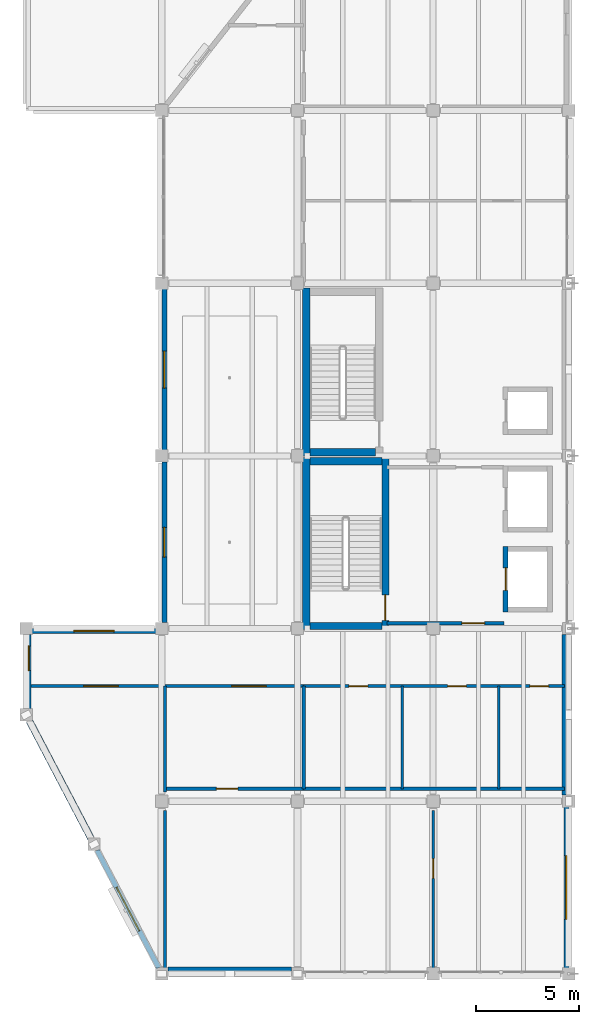
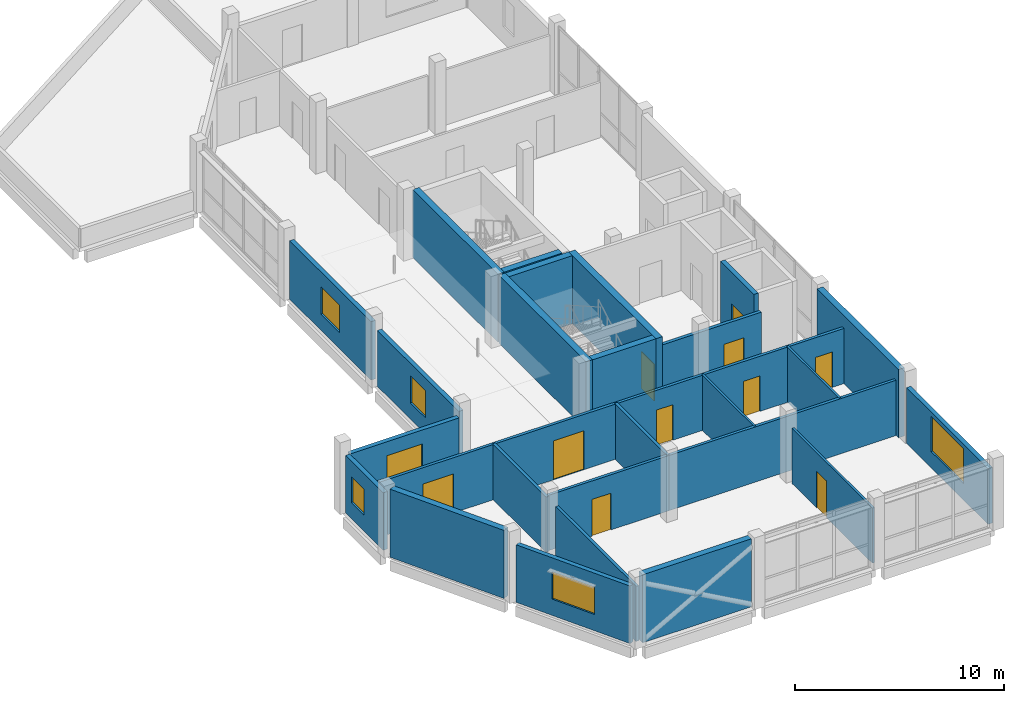
# One storey, part 6 of 12: 27 walls, 10 doors, 6 windows, 16 openings.
"""IFC4 building model written with IfcOpenShell, lengths in metres."""

from ifc_helpers import new_model, si_unit, direction, frame, frame_2d, origin, place, context, subcontext, project, spatial, rectangle, extrude, material, layer, layer_set, type_object, element, fill, save


model = new_model("IFC4")

# Units and contexts
model_context = context("Model", 3, precision=1e-05, world=origin(), true_north=direction((0.0, 1.0)))
body_context = subcontext(model_context, "Body", "Model", "MODEL_VIEW")
ifc_project = project(units=[si_unit("LENGTHUNIT", "METRE"), si_unit("AREAUNIT", "SQUARE_METRE"), si_unit("VOLUMEUNIT", "CUBIC_METRE"), si_unit("PLANEANGLEUNIT", "RADIAN"), si_unit("MASSUNIT", "GRAM", prefix="KILO")], contexts=[model_context])

# Site, building, storey
site_placement = place(None, origin())
site = spatial("IfcSite", under=ifc_project, at=site_placement, CompositionType="ELEMENT")
building_placement = place(site_placement, origin())
building = spatial("IfcBuilding", under=site, at=building_placement, Name="Qaldarim Faculty of Natural and Applied Sciences", CompositionType="ELEMENT")
storey_placement = place(building_placement, frame((0.0, 0.0, 31.199951171875)))
storey = spatial("IfcBuildingStorey", under=building, at=storey_placement, Name="L07", CompositionType="ELEMENT", Elevation=31.199951171875)

# Walls
ifc_material_1 = material(Name="Painted gypsum partition board")
ifc_layer_1 = layer(ifc_material_1, 0.1201171875)
ifc_layer_set_1 = layer_set([ifc_layer_1], Name="Painted gypsum partition board")
wall_type_1 = type_object("IfcWallType", Name="AcousticPartition-120", PredefinedType="PARTITIONING", material=ifc_layer_set_1)
for number, where, z_axis, x_axis, name in (
    (1, (170.10009765625, 9.0, 0.0), (0.0, 0.0, 1.0), (0.0, 1.0, 0.0), "Interior partition PRT-L07-V5-WCD1"),
    (2, (174.800048828125, 9.0, 0.0), (0.0, 0.0, 1.0), (0.0, 1.0, 0.0), "Interior partition PRT-L07-V5-WCD2"),
):
    element("IfcWall", number, at=place(storey_placement, frame(where, z_axis=z_axis, x_axis=x_axis)), inside=storey, type_object=wall_type_1, Name=name, PredefinedType="PARTITIONING", context=body_context, shape_type="SweptSolid", body=[
        extrude(rectangle(XDim=5.0, YDim=0.1201171875, at=frame_2d((2.5, 0.0))), origin(), (0.0, 0.0, 1.0), 3.22998046875),
    ])

# Wall, opening, door
wall_1_placement = place(storey_placement, frame((171.60009765625, 0.25, 0.0), z_axis=(0.0, 0.0, 1.0), x_axis=(0.0, 1.0, 0.0)))
wall_1 = element("IfcWall", 3, at=wall_1_placement, inside=storey, type_object=wall_type_1, Name="Interior partition PRT-L07-U-D1", PredefinedType="PARTITIONING", context=body_context, shape_type="SweptSolid", body=[
    extrude(rectangle(XDim=7.699951171875, YDim=0.1201171875, at=frame_2d((3.85009765625, 0.0))), origin(), (0.0, 0.0, 1.0), 3.22998046875),
])
opening_1_placement = place(wall_1_placement, frame((4.39990234375, 0.0, 0.0)))
opening_1 = element("IfcOpeningElement", 4, at=opening_1_placement, cuts=wall_1, Name="Opening ID01", PredefinedType="OPENING", context=body_context, shape_type="SweptSolid", body=[
    extrude(rectangle(XDim=0.949951171875, YDim=2.14990234375, at=frame_2d((0.47509765625, 1.074951171875))), frame((0.0, 0.070068359375, 0.0), z_axis=(0.0, -1.0, 0.0), x_axis=(1.0, 0.0, 0.0)), (0.0, 0.0, 1.0), 0.14013671875),
])
ifc_material_2 = material(Name="Oak hardwood", Category="wood")
door_type_1 = type_object("IfcDoorType", Name="SingleRoomDoor-950x2150", OperationType="NOTDEFINED", PredefinedType="DOOR", material=ifc_material_2)
door_1_placement = place(opening_1_placement, origin())
door_1 = element("IfcDoor", 5, at=door_1_placement, inside=storey, type_object=door_type_1, Name="Interior door D-L07-274", OperationType="SINGLE_SWING_LEFT", OverallHeight=2.14990234375, OverallWidth=0.949951171875, PredefinedType="DOOR", context=body_context, shape_type="SweptSolid", body=[
    extrude(rectangle(XDim=0.949951171875, YDim=2.14990234375, at=frame_2d((0.47509765625, 1.074951171875))), frame((0.0, 0.02490234375, 0.0), z_axis=(0.0, -1.0, 0.0), x_axis=(1.0, 0.0, 0.0)), (0.0, 0.0, 1.0), 0.050048828125),
])
fill(opening_1, door_1)

# Wall
ifc_material_3 = material(Name="Concrete C50/60", Category="concrete")
ifc_layer_2 = layer(ifc_material_3, 0.360107421875)
ifc_layer_set_2 = layer_set([ifc_layer_2], Name="Concrete C50/60")
wall_type_2 = type_object("IfcWallType", Name="CoreShearWall-360", PredefinedType="SHEAR", material=ifc_layer_set_2)
wall_2_placement = place(storey_placement, frame((165.419921875, 16.739990234375, 0.0), z_axis=(0.0, 0.0, 1.0), x_axis=(0.0, 1.0, 0.0)))
element("IfcWall", 6, at=wall_2_placement, inside=storey, type_object=wall_type_2, Name="Core stair ST-A1 west shear wall L07", PredefinedType="SHEAR", context=body_context, shape_type="SweptSolid", body=[
    extrude(rectangle(XDim=8.3701171875, YDim=0.360107421875, at=frame_2d((4.18505859375, 0.0))), origin(), (0.0, 0.0, 1.0), 3.97998046875),
])

# Wall, opening, door
wall_3_placement = place(storey_placement, frame((169.280029296875, 16.739990234375, 0.0), z_axis=(0.0, 0.0, 1.0), x_axis=(0.0, 1.0, 0.0)))
wall_3 = element("IfcWall", 7, at=wall_3_placement, inside=storey, type_object=wall_type_2, Name="Core stair ST-A1 east shear wall L07", PredefinedType="SHEAR", context=body_context, shape_type="SweptSolid", body=[
    extrude(rectangle(XDim=8.3701171875, YDim=0.360107421875, at=frame_2d((4.18505859375, 0.0))), origin(), (0.0, 0.0, 1.0), 3.97998046875),
])
opening_2_placement = place(wall_3_placement, frame((0.449951171875, 0.0, 0.0)))
opening_2 = element("IfcOpeningElement", 8, at=opening_2_placement, cuts=wall_3, Name="Opening ID04", PredefinedType="OPENING", context=body_context, shape_type="SweptSolid", body=[
    extrude(rectangle(XDim=1.25, YDim=2.14990234375, at=frame_2d((0.625, 1.074951171875))), frame((0.0, 0.18994140625, 0.0), z_axis=(0.0, -1.0, 0.0), x_axis=(1.0, 0.0, 0.0)), (0.0, 0.0, 1.0), 0.380126953125),
])
ifc_material_4 = material(Name="Architectural stainless steel 316", Category="steel")
door_type_2 = type_object("IfcDoorType", Name="StairEnclosureFireDoor-1250x2150", OperationType="NOTDEFINED", PredefinedType="DOOR", material=ifc_material_4)
door_2_placement = place(opening_2_placement, origin())
door_2 = element("IfcDoor", 9, at=door_2_placement, inside=storey, type_object=door_type_2, Name="Protected stair ST-A1 fire door D-L07-509", OperationType="SINGLE_SWING_LEFT", OverallHeight=2.14990234375, OverallWidth=1.25, PredefinedType="DOOR", context=body_context, shape_type="SweptSolid", body=[
    extrude(rectangle(XDim=1.25, YDim=2.14990234375, at=frame_2d((0.625, 1.074951171875))), frame((0.0, 0.02490234375, 0.0), z_axis=(0.0, -1.0, 0.0), x_axis=(1.0, 0.0, 0.0)), (0.0, 0.0, 1.0), 0.050048828125),
])
fill(opening_2, door_2)

# Walls
for number, where, z_axis, x_axis, name in (
    (10, (165.60009765625, 24.929931640625, 0.0), (0.0, 0.0, 1.0), (1.0, 0.0, 0.0), "Core stair ST-A1 north shear wall L07"),
    (11, (165.60009765625, 16.919921875, 0.0), (0.0, 0.0, 1.0), (1.0, 0.0, 0.0), "Core stair ST-A1 south shear wall L07"),
):
    element("IfcWall", number, at=place(storey_placement, frame(where, z_axis=z_axis, x_axis=x_axis)), inside=storey, type_object=wall_type_2, Name=name, PredefinedType="SHEAR", context=body_context, shape_type="SweptSolid", body=[
        extrude(rectangle(XDim=3.5, YDim=0.360107421875, at=frame_2d((1.75, 0.0))), origin(), (0.0, 0.0, 1.0), 3.97998046875),
    ])
wall_4_placement = place(storey_placement, frame((165.419921875, 25.18994140625, 0.0), z_axis=(0.0, 0.0, 1.0), x_axis=(0.0, 1.0, 0.0)))
element("IfcWall", 12, at=wall_4_placement, inside=storey, type_object=wall_type_2, Name="Core stair ST-A2 west shear wall L07", PredefinedType="SHEAR", context=body_context, shape_type="SweptSolid", body=[
    extrude(rectangle(XDim=8.170166015625, YDim=0.360107421875, at=frame_2d((4.0849609375, 0.0))), origin(), (0.0, 0.0, 1.0), 3.97998046875),
])
wall_5_placement = place(storey_placement, frame((165.60009765625, 25.3701171875, 0.0), z_axis=(0.0, 0.0, 1.0), x_axis=(1.0, 0.0, 0.0)))
element("IfcWall", 13, at=wall_5_placement, inside=storey, type_object=wall_type_2, Name="Core stair ST-A2 south shear wall L07", PredefinedType="SHEAR", context=body_context, shape_type="SweptSolid", body=[
    extrude(rectangle(XDim=3.199951171875, YDim=0.360107421875, at=frame_2d((1.60009765625, 0.0))), origin(), (0.0, 0.0, 1.0), 3.97998046875),
])

# Wall, opening, window
ifc_material_5 = material(Name="Precast concrete C40/50", Category="concrete")
ifc_layer_3 = layer(ifc_material_5, 0.239990234375)
ifc_layer_set_3 = layer_set([ifc_layer_3], Name="Precast concrete C40/50")
wall_type_3 = type_object("IfcWallType", Name="ExteriorInsulatedWall-240", PredefinedType="SOLIDWALL", material=ifc_layer_set_3)
wall_6_placement = place(storey_placement, frame((158.10498046875, 16.679931640625, 0.0), z_axis=(0.0, 0.0, 1.0), x_axis=(-1.0, 0.0, 0.0)))
wall_6 = element("IfcWall", 14, at=wall_6_placement, inside=storey, type_object=wall_type_3, Name="Exterior wall EW03 L07 N X24Y02", PredefinedType="SOLIDWALL", context=body_context, shape_type="SweptSolid", body=[
    extrude(rectangle(XDim=6.010009765625, YDim=0.239990234375, at=frame_2d((3.0048828125, 0.0))), origin(), (0.0, 0.0, 1.0), 3.31494140625),
])
opening_3_placement = place(wall_6_placement, frame((2.030029296875, 0.0, 0.949951171875)))
opening_3 = element("IfcOpeningElement", 15, at=opening_3_placement, cuts=wall_6, Name="Opening WN11", PredefinedType="OPENING", context=body_context, shape_type="SweptSolid", body=[
    extrude(rectangle(XDim=1.949951171875, YDim=1.550048828125, at=frame_2d((0.97509765625, 0.77490234375))), frame((0.0, 0.1298828125, 0.0), z_axis=(0.0, -1.0, 0.0), x_axis=(1.0, 0.0, 0.0)), (0.0, 0.0, 1.0), 0.260009765625),
])
ifc_material_6 = material(Name="Insulated low-e double glazing", Category="glass")
window_type_1 = type_object("IfcWindowType", Name="LabWindow-1950x1550", PartitioningType="DOUBLE_PANEL_VERTICAL", PredefinedType="WINDOW", material=ifc_material_6)
window_1_placement = place(opening_3_placement, origin())
window_1 = element("IfcWindow", 16, at=window_1_placement, inside=storey, type_object=window_type_1, Name="Facade window WN11 L07 N X24Y02", OverallHeight=1.550048828125, OverallWidth=1.949951171875, PartitioningType="SINGLE_PANEL", PredefinedType="WINDOW", context=body_context, shape_type="SweptSolid", body=[
    extrude(rectangle(XDim=1.949951171875, YDim=1.550048828125, at=frame_2d((0.97509765625, 0.77490234375))), frame((0.0, 0.030029296875, 0.0), z_axis=(0.0, -1.0, 0.0), x_axis=(1.0, 0.0, 0.0)), (0.0, 0.0, 1.0), 0.06005859375),
])
fill(opening_3, window_1)

wall_7_placement = place(storey_placement, frame((158.52001953125, 24.905029296875, 0.0), z_axis=(0.0, 0.0, 1.0), x_axis=(0.0, -1.0, 0.0)))
wall_7 = element("IfcWall", 17, at=wall_7_placement, inside=storey, type_object=wall_type_3, Name="Exterior wall EW03 L07 W X25Y03", PredefinedType="SOLIDWALL", context=body_context, shape_type="SweptSolid", body=[
    extrude(rectangle(XDim=7.81005859375, YDim=0.239990234375, at=frame_2d((3.905029296875, 0.0))), origin(), (0.0, 0.0, 1.0), 3.26513671875),
])
opening_4_placement = place(wall_7_placement, frame((3.179931640625, 0.0, 0.949951171875)))
opening_4 = element("IfcOpeningElement", 18, at=opening_4_placement, cuts=wall_7, Name="Opening WN32", PredefinedType="OPENING", context=body_context, shape_type="SweptSolid", body=[
    extrude(rectangle(XDim=1.449951171875, YDim=1.60009765625, at=frame_2d((0.72509765625, 0.800048828125))), frame((0.0, 0.1298828125, 0.0), z_axis=(0.0, -1.0, 0.0), x_axis=(1.0, 0.0, 0.0)), (0.0, 0.0, 1.0), 0.260009765625),
])
window_type_2 = type_object("IfcWindowType", Name="SeminarWindow-1450x1600", PartitioningType="DOUBLE_PANEL_VERTICAL", PredefinedType="WINDOW", material=ifc_material_6)
window_2_placement = place(opening_4_placement, origin())
window_2 = element("IfcWindow", 19, at=window_2_placement, inside=storey, type_object=window_type_2, Name="Facade window WN32 L07 W X25Y03", OverallHeight=1.60009765625, OverallWidth=1.449951171875, PartitioningType="SINGLE_PANEL", PredefinedType="WINDOW", context=body_context, shape_type="SweptSolid", body=[
    extrude(rectangle(XDim=1.449951171875, YDim=1.60009765625, at=frame_2d((0.72509765625, 0.800048828125))), frame((0.0, 0.030029296875, 0.0), z_axis=(0.0, -1.0, 0.0), x_axis=(1.0, 0.0, 0.0)), (0.0, 0.0, 1.0), 0.06005859375),
])
fill(opening_4, window_2)

wall_8_placement = place(storey_placement, frame((158.52001953125, 33.304931640625, 0.0), z_axis=(0.0, 0.0, 1.0), x_axis=(0.0, -1.0, 0.0)))
wall_8 = element("IfcWall", 20, at=wall_8_placement, inside=storey, type_object=wall_type_3, Name="Exterior wall EW03 L07 W X25Y04", PredefinedType="SOLIDWALL", context=body_context, shape_type="SweptSolid", body=[
    extrude(rectangle(XDim=7.809814453125, YDim=0.239990234375, at=frame_2d((3.90478515625, 0.0))), origin(), (0.0, 0.0, 1.0), 3.4150390625),
])
opening_5_placement = place(wall_8_placement, frame((3.0048828125, 0.0, 0.949951171875)))
opening_5 = element("IfcOpeningElement", 21, at=opening_5_placement, cuts=wall_8, Name="Opening WN02", PredefinedType="OPENING", context=body_context, shape_type="SweptSolid", body=[
    extrude(rectangle(XDim=1.800048828125, YDim=1.60009765625, at=frame_2d((0.89990234375, 0.800048828125))), frame((0.0, 0.1298828125, 0.0), z_axis=(0.0, -1.0, 0.0), x_axis=(1.0, 0.0, 0.0)), (0.0, 0.0, 1.0), 0.260009765625),
])
window_type_3 = type_object("IfcWindowType", Name="Window-1800x1600", PartitioningType="DOUBLE_PANEL_VERTICAL", PredefinedType="WINDOW", material=ifc_material_6)
window_3_placement = place(opening_5_placement, origin())
window_3 = element("IfcWindow", 22, at=window_3_placement, inside=storey, type_object=window_type_3, Name="Facade window WN02 L07 W X25Y04", OverallHeight=1.60009765625, OverallWidth=1.800048828125, PartitioningType="SINGLE_PANEL", PredefinedType="WINDOW", context=body_context, shape_type="SweptSolid", body=[
    extrude(rectangle(XDim=1.800048828125, YDim=1.60009765625, at=frame_2d((0.89990234375, 0.800048828125))), frame((0.0, 0.030029296875, 0.0), z_axis=(0.0, -1.0, 0.0), x_axis=(1.0, 0.0, 0.0)), (0.0, 0.0, 1.0), 0.06005859375),
])
fill(opening_5, window_3)

wall_9_placement = place(storey_placement, frame((178.080078125, 0.294921875, 0.0), z_axis=(0.0, 0.0, 1.0), x_axis=(0.0, 1.0, 0.0)))
wall_9 = element("IfcWall", 23, at=wall_9_placement, inside=storey, type_object=wall_type_3, Name="Exterior wall EW03 L07 E X27Y01", PredefinedType="SOLIDWALL", context=body_context, shape_type="SweptSolid", body=[
    extrude(rectangle(XDim=7.81005859375, YDim=0.239990234375, at=frame_2d((3.905029296875, 0.0))), origin(), (0.0, 0.0, 1.0), 3.26513671875),
])
opening_6_placement = place(wall_9_placement, frame((2.35498046875, 0.0, 0.949951171875)))
opening_6 = element("IfcOpeningElement", 24, at=opening_6_placement, cuts=wall_9, Name="Opening WN30", PredefinedType="OPENING", context=body_context, shape_type="SweptSolid", body=[
    extrude(rectangle(XDim=3.10009765625, YDim=2.050048828125, at=frame_2d((1.550048828125, 1.02490234375))), frame((0.0, 0.1298828125, 0.0), z_axis=(0.0, -1.0, 0.0), x_axis=(1.0, 0.0, 0.0)), (0.0, 0.0, 1.0), 0.260009765625),
])
window_type_4 = type_object("IfcWindowType", Name="GalleryWindow-3100x2050", PartitioningType="TRIPLE_PANEL_VERTICAL", PredefinedType="WINDOW", material=ifc_material_6)
window_4_placement = place(opening_6_placement, origin())
window_4 = element("IfcWindow", 25, at=window_4_placement, inside=storey, type_object=window_type_4, Name="Facade window WN30 L07 E X27Y01", OverallHeight=2.050048828125, OverallWidth=3.10009765625, PartitioningType="SINGLE_PANEL", PredefinedType="WINDOW", context=body_context, shape_type="SweptSolid", body=[
    extrude(rectangle(XDim=3.10009765625, YDim=2.050048828125, at=frame_2d((1.550048828125, 1.02490234375))), frame((0.0, 0.030029296875, 0.0), z_axis=(0.0, -1.0, 0.0), x_axis=(1.0, 0.0, 0.0)), (0.0, 0.0, 1.0), 0.06005859375),
])
fill(opening_6, window_4)

wall_10_placement = place(storey_placement, frame((151.919921875, 16.5048828125, 0.0), z_axis=(0.0, 0.0, 1.0), x_axis=(0.0, -1.0, 0.0)))
wall_10 = element("IfcWall", 26, at=wall_10_placement, inside=storey, type_object=wall_type_3, Name="Oblique SW chamfer return facade wall L07", PredefinedType="SOLIDWALL", context=body_context, shape_type="SweptSolid", body=[
    extrude(rectangle(XDim=3.60986328125, YDim=0.239990234375, at=frame_2d((1.804931640625, 0.0))), origin(), (0.0, 0.0, 1.0), 3.364990234375),
])
opening_7_placement = place(wall_10_placement, frame((0.550048828125, 0.0, 0.949951171875)))
opening_7 = element("IfcOpeningElement", 27, at=opening_7_placement, cuts=wall_10, Name="Opening WN01", PredefinedType="OPENING", context=body_context, shape_type="SweptSolid", body=[
    extrude(rectangle(XDim=1.199951171875, YDim=1.5, at=frame_2d((0.60009765625, 0.75))), frame((0.0, 0.1298828125, 0.0), z_axis=(0.0, -1.0, 0.0), x_axis=(1.0, 0.0, 0.0)), (0.0, 0.0, 1.0), 0.260009765625),
])
window_type_5 = type_object("IfcWindowType", Name="Window-1200x1500", PartitioningType="SINGLE_PANEL", PredefinedType="WINDOW", material=ifc_material_6)
window_5_placement = place(opening_7_placement, origin())
window_5 = element("IfcWindow", 28, at=window_5_placement, inside=storey, type_object=window_type_5, Name="Oblique SW return window L07", OverallHeight=1.5, OverallWidth=1.199951171875, PartitioningType="SINGLE_PANEL", PredefinedType="WINDOW", context=body_context, shape_type="SweptSolid", body=[
    extrude(rectangle(XDim=1.199951171875, YDim=1.5, at=frame_2d((0.60009765625, 0.75))), frame((0.0, 0.030029296875, 0.0), z_axis=(0.0, -1.0, 0.0), x_axis=(1.0, 0.0, 0.0)), (0.0, 0.0, 1.0), 0.06005859375),
])
fill(opening_7, window_5)

wall_11_placement = place(storey_placement, frame((155.25, 6.010009765625, 0.0), z_axis=(0.0, 0.0, 1.0), x_axis=(0.464471613901, -0.885588007981, 0.0)))
wall_11 = element("IfcWall", 29, at=wall_11_placement, inside=storey, type_object=wall_type_3, Name="Oblique SW chamfer fenestrated wall L07 2", PredefinedType="SOLIDWALL", context=body_context, shape_type="SweptSolid", body=[
    extrude(rectangle(XDim=6.458984375, YDim=0.239990234375, at=frame_2d((3.2294921875, 0.0))), origin(), (0.0, 0.0, 1.0), 3.364990234375),
])
opening_8_placement = place(wall_11_placement, frame((2.030029296875, 0.0, 0.949951171875)))
opening_8 = element("IfcOpeningElement", 30, at=opening_8_placement, cuts=wall_11, Name="Opening WN03", PredefinedType="OPENING", context=body_context, shape_type="SweptSolid", body=[
    extrude(rectangle(XDim=2.39990234375, YDim=1.60009765625, at=frame_2d((1.199951171875, 0.800048828125))), frame((0.0, 0.1298828125, 0.0), z_axis=(0.0, -1.0, 0.0), x_axis=(1.0, 0.0, 0.0)), (0.0, 0.0, 1.0), 0.260009765625),
])
window_type_6 = type_object("IfcWindowType", Name="Window-2400x1600", PartitioningType="TRIPLE_PANEL_VERTICAL", PredefinedType="WINDOW", material=ifc_material_6)
window_6_placement = place(opening_8_placement, origin())
window_6 = element("IfcWindow", 31, at=window_6_placement, inside=storey, type_object=window_type_6, Name="Oblique SW chamfer window L07 2", OverallHeight=1.60009765625, OverallWidth=2.39990234375, PartitioningType="SINGLE_PANEL", PredefinedType="WINDOW", context=body_context, shape_type="SweptSolid", body=[
    extrude(rectangle(XDim=2.39990234375, YDim=1.60009765625, at=frame_2d((1.199951171875, 0.800048828125))), frame((0.0, 0.030029296875, 0.0), z_axis=(0.0, -1.0, 0.0), x_axis=(1.0, 0.0, 0.0)), (0.0, 0.0, 1.0), 0.06005859375),
])
fill(opening_8, window_6)

# Walls
ifc_layer_4 = layer(ifc_material_3, 0.340087890625)
ifc_layer_set_4 = layer_set([ifc_layer_4], Name="Concrete C50/60")
wall_type_4 = type_object("IfcWallType", Name="ExteriorStairShearWall-340", PredefinedType="SHEAR", material=ifc_layer_set_4)
wall_12_placement = place(storey_placement, frame((158.695068359375, 0.169921875, 0.0), z_axis=(0.0, 0.0, 1.0), x_axis=(1.0, 0.0, 0.0)))
element("IfcWall", 32, at=wall_12_placement, inside=storey, type_object=wall_type_4, Name="Exterior wall EW05 L07 S X25Y01", PredefinedType="SHEAR", context=body_context, shape_type="SweptSolid", body=[
    extrude(rectangle(XDim=6.010009765625, YDim=0.340087890625, at=frame_2d((3.0048828125, 0.0))), origin(), (0.0, 0.0, 1.0), 3.97998046875),
])
wall_13_placement = place(storey_placement, frame((178.030029296875, 8.695068359375, 0.0), z_axis=(0.0, 0.0, 1.0), x_axis=(0.0, 1.0, 0.0)))
element("IfcWall", 33, at=wall_13_placement, inside=storey, type_object=wall_type_4, Name="Exterior wall EW05 L07 E X27Y02", PredefinedType="SHEAR", context=body_context, shape_type="SweptSolid", body=[
    extrude(rectangle(XDim=7.809814453125, YDim=0.340087890625, at=frame_2d((3.90478515625, 0.0))), origin(), (0.0, 0.0, 1.0), 3.97998046875),
])
wall_14_placement = place(storey_placement, frame((151.949951171875, 12.31005859375, 0.0), z_axis=(0.0, 0.0, 1.0), x_axis=(0.464471613901, -0.885588007981, 0.0)))
element("IfcWall", 34, at=wall_14_placement, inside=storey, type_object=wall_type_4, Name="Oblique SW chamfer braced wall L07 1", PredefinedType="SHEAR", context=body_context, shape_type="SweptSolid", body=[
    extrude(rectangle(XDim=6.458984375, YDim=0.340087890625, at=frame_2d((3.2294921875, 0.0))), origin(), (0.0, 0.0, 1.0), 3.97998046875),
])

# Wall, openings, doors
ifc_material_7 = material(Name="Concrete C40/50", Category="concrete")
ifc_layer_5 = layer(ifc_material_7, 0.159912109375)
ifc_layer_set_5 = layer_set([ifc_layer_5], Name="Concrete C40/50")
wall_type_5 = type_object("IfcWallType", Name="FireCorridorWall-160", PredefinedType="PARTITIONING", material=ifc_layer_set_5)
wall_15_placement = place(storey_placement, frame((165.300048828125, 14.0, 0.0), z_axis=(0.0, 0.0, 1.0), x_axis=(1.0, 0.0, 0.0)))
wall_15 = element("IfcWall", 35, at=wall_15_placement, inside=storey, type_object=wall_type_5, Name="Interior partition PRT-L07-V5-WCN", PredefinedType="PARTITIONING", context=body_context, shape_type="SweptSolid", body=[
    extrude(rectangle(XDim=12.699951171875, YDim=0.159912109375, at=frame_2d((6.35009765625, 0.0))), origin(), (0.0, 0.0, 1.0), 3.22998046875),
])
opening_9_placement = place(wall_15_placement, frame((2.199951171875, 0.0, 0.0)))
opening_9 = element("IfcOpeningElement", 36, at=opening_9_placement, cuts=wall_15, Name="Opening ID14", PredefinedType="OPENING", context=body_context, shape_type="SweptSolid", body=[
    extrude(rectangle(XDim=0.919921875, YDim=2.080078125, at=frame_2d((0.4599609375, 1.0400390625))), frame((0.0, 0.08984375, 0.0), z_axis=(0.0, -1.0, 0.0), x_axis=(1.0, 0.0, 0.0)), (0.0, 0.0, 1.0), 0.179931640625),
])
opening_10_placement = place(wall_15_placement, frame((7.0, 0.0, 0.0)))
opening_10 = element("IfcOpeningElement", 37, at=opening_10_placement, cuts=wall_15, Name="Opening ID14", PredefinedType="OPENING", context=body_context, shape_type="SweptSolid", body=[
    extrude(rectangle(XDim=0.919921875, YDim=2.080078125, at=frame_2d((0.4599609375, 1.0400390625))), frame((0.0, 0.08984375, 0.0), z_axis=(0.0, -1.0, 0.0), x_axis=(1.0, 0.0, 0.0)), (0.0, 0.0, 1.0), 0.179931640625),
])
opening_11_placement = place(wall_15_placement, frame((11.0, 0.0, 0.0)))
opening_11 = element("IfcOpeningElement", 38, at=opening_11_placement, cuts=wall_15, Name="Opening ID14", PredefinedType="OPENING", context=body_context, shape_type="SweptSolid", body=[
    extrude(rectangle(XDim=0.919921875, YDim=2.080078125, at=frame_2d((0.4599609375, 1.0400390625))), frame((0.0, 0.08984375, 0.0), z_axis=(0.0, -1.0, 0.0), x_axis=(1.0, 0.0, 0.0)), (0.0, 0.0, 1.0), 0.179931640625),
])
door_type_3 = type_object("IfcDoorType", Name="WashroomDoor-920x2080", OperationType="NOTDEFINED", PredefinedType="DOOR", material=ifc_material_2)
door_3_placement = place(opening_9_placement, origin())
door_3 = element("IfcDoor", 39, at=door_3_placement, inside=storey, type_object=door_type_3, Name="Interior door D-L07-125", OperationType="SINGLE_SWING_LEFT", OverallHeight=2.080078125, OverallWidth=0.919921875, PredefinedType="DOOR", context=body_context, shape_type="SweptSolid", body=[
    extrude(rectangle(XDim=0.919921875, YDim=2.080078125, at=frame_2d((0.4599609375, 1.0400390625))), frame((0.0, 0.02490234375, 0.0), z_axis=(0.0, -1.0, 0.0), x_axis=(1.0, 0.0, 0.0)), (0.0, 0.0, 1.0), 0.050048828125),
])
fill(opening_9, door_3)
door_4_placement = place(opening_10_placement, origin())
door_4 = element("IfcDoor", 40, at=door_4_placement, inside=storey, type_object=door_type_3, Name="Interior door D-L07-126", OperationType="SINGLE_SWING_RIGHT", OverallHeight=2.080078125, OverallWidth=0.919921875, PredefinedType="DOOR", context=body_context, shape_type="SweptSolid", body=[
    extrude(rectangle(XDim=0.919921875, YDim=2.080078125, at=frame_2d((0.4599609375, 1.0400390625))), frame((0.0, 0.02490234375, 0.0), z_axis=(0.0, -1.0, 0.0), x_axis=(1.0, 0.0, 0.0)), (0.0, 0.0, 1.0), 0.050048828125),
])
fill(opening_10, door_4)
door_5_placement = place(opening_11_placement, origin())
door_5 = element("IfcDoor", 41, at=door_5_placement, inside=storey, type_object=door_type_3, Name="Interior door D-L07-127", OperationType="SINGLE_SWING_LEFT", OverallHeight=2.080078125, OverallWidth=0.919921875, PredefinedType="DOOR", context=body_context, shape_type="SweptSolid", body=[
    extrude(rectangle(XDim=0.919921875, YDim=2.080078125, at=frame_2d((0.4599609375, 1.0400390625))), frame((0.0, 0.02490234375, 0.0), z_axis=(0.0, -1.0, 0.0), x_axis=(1.0, 0.0, 0.0)), (0.0, 0.0, 1.0), 0.050048828125),
])
fill(opening_11, door_5)

# Walls
wall_16_placement = place(storey_placement, frame((165.300048828125, 9.0, 0.0), z_axis=(0.0, 0.0, 1.0), x_axis=(1.0, 0.0, 0.0)))
element("IfcWall", 42, at=wall_16_placement, inside=storey, type_object=wall_type_5, Name="Interior partition PRT-L07-V5-WCS", PredefinedType="PARTITIONING", context=body_context, shape_type="SweptSolid", body=[
    extrude(rectangle(XDim=12.699951171875, YDim=0.159912109375, at=frame_2d((6.35009765625, 0.0))), origin(), (0.0, 0.0, 1.0), 3.22998046875),
])
wall_17_placement = place(storey_placement, frame((165.300048828125, 9.0, 0.0), z_axis=(0.0, 0.0, 1.0), x_axis=(0.0, 1.0, 0.0)))
element("IfcWall", 43, at=wall_17_placement, inside=storey, type_object=wall_type_5, Name="Interior partition PRT-L07-V5-WCW", PredefinedType="PARTITIONING", context=body_context, shape_type="SweptSolid", body=[
    extrude(rectangle(XDim=5.0, YDim=0.159912109375, at=frame_2d((2.5, 0.0))), origin(), (0.0, 0.0, 1.0), 3.22998046875),
])

# Wall, opening, door
wall_18_placement = place(storey_placement, frame((158.550048828125, 9.0, 0.0), z_axis=(0.0, 0.0, 1.0), x_axis=(1.0, 0.0, 0.0)))
wall_18 = element("IfcWall", 44, at=wall_18_placement, inside=storey, type_object=wall_type_5, Name="Interior partition PRT-L07-U-SW", PredefinedType="PARTITIONING", context=body_context, shape_type="SweptSolid", body=[
    extrude(rectangle(XDim=6.75, YDim=0.159912109375, at=frame_2d((3.375, 0.0))), origin(), (0.0, 0.0, 1.0), 3.22998046875),
])
opening_12_placement = place(wall_18_placement, frame((2.5, 0.0, 0.0)))
opening_12 = element("IfcOpeningElement", 45, at=opening_12_placement, cuts=wall_18, Name="Opening ID02", PredefinedType="OPENING", context=body_context, shape_type="SweptSolid", body=[
    extrude(rectangle(XDim=1.050048828125, YDim=2.14990234375, at=frame_2d((0.52490234375, 1.074951171875))), frame((0.0, 0.08984375, 0.0), z_axis=(0.0, -1.0, 0.0), x_axis=(1.0, 0.0, 0.0)), (0.0, 0.0, 1.0), 0.179931640625),
])
door_type_4 = type_object("IfcDoorType", Name="AccessibleRoomDoor-1050x2150", OperationType="NOTDEFINED", PredefinedType="DOOR", material=ifc_material_2)
door_6_placement = place(opening_12_placement, origin())
door_6 = element("IfcDoor", 46, at=door_6_placement, inside=storey, type_object=door_type_4, Name="Interior door D-L07-270", OperationType="SINGLE_SWING_LEFT", OverallHeight=2.14990234375, OverallWidth=1.050048828125, PredefinedType="DOOR", context=body_context, shape_type="SweptSolid", body=[
    extrude(rectangle(XDim=1.050048828125, YDim=2.14990234375, at=frame_2d((0.52490234375, 1.074951171875))), frame((0.0, 0.02490234375, 0.0), z_axis=(0.0, -1.0, 0.0), x_axis=(1.0, 0.0, 0.0)), (0.0, 0.0, 1.0), 0.050048828125),
])
fill(opening_12, door_6)

# Walls
wall_19_placement = place(storey_placement, frame((158.550048828125, 0.25, 0.0), z_axis=(0.0, 0.0, 1.0), x_axis=(0.0, 1.0, 0.0)))
element("IfcWall", 47, at=wall_19_placement, inside=storey, type_object=wall_type_5, Name="Interior partition PRT-L07-V5-SWSE-S1", PredefinedType="PARTITIONING", context=body_context, shape_type="SweptSolid", body=[
    extrude(rectangle(XDim=7.699951171875, YDim=0.159912109375, at=frame_2d((3.85009765625, 0.0))), origin(), (0.0, 0.0, 1.0), 3.22998046875),
])
wall_20_placement = place(storey_placement, frame((158.550048828125, 8.85009765625, 0.0), z_axis=(0.0, 0.0, 1.0), x_axis=(0.0, 1.0, 0.0)))
element("IfcWall", 48, at=wall_20_placement, inside=storey, type_object=wall_type_5, Name="Interior partition PRT-L07-V5-SWSE-S2", PredefinedType="PARTITIONING", context=body_context, shape_type="SweptSolid", body=[
    extrude(rectangle(XDim=5.14990234375, YDim=0.159912109375, at=frame_2d((2.574951171875, 0.0))), origin(), (0.0, 0.0, 1.0), 3.22998046875),
])

# Wall, openings, doors
wall_21_placement = place(storey_placement, frame((152.0, 14.0, 0.0), z_axis=(0.0, 0.0, 1.0), x_axis=(1.0, 0.0, 0.0)))
wall_21 = element("IfcWall", 49, at=wall_21_placement, inside=storey, type_object=wall_type_5, Name="Interior partition PRT-L07-V5-MIDN", PredefinedType="PARTITIONING", context=body_context, shape_type="SweptSolid", body=[
    extrude(rectangle(XDim=13.300048828125, YDim=0.159912109375, at=frame_2d((6.64990234375, 0.0))), origin(), (0.0, 0.0, 1.0), 3.22998046875),
])
opening_13_placement = place(wall_21_placement, frame((2.60009765625, 0.0, 0.0)))
opening_13 = element("IfcOpeningElement", 50, at=opening_13_placement, cuts=wall_21, Name="Opening ID18", PredefinedType="OPENING", context=body_context, shape_type="SweptSolid", body=[
    extrude(rectangle(XDim=1.679931640625, YDim=2.280029296875, at=frame_2d((0.83984375, 1.14013671875))), frame((0.0, 0.08984375, 0.0), z_axis=(0.0, -1.0, 0.0), x_axis=(1.0, 0.0, 0.0)), (0.0, 0.0, 1.0), 0.179931640625),
])
opening_14_placement = place(wall_21_placement, frame((9.800048828125, 0.0, 0.0)))
opening_14 = element("IfcOpeningElement", 51, at=opening_14_placement, cuts=wall_21, Name="Opening ID18", PredefinedType="OPENING", context=body_context, shape_type="SweptSolid", body=[
    extrude(rectangle(XDim=1.679931640625, YDim=2.280029296875, at=frame_2d((0.83984375, 1.14013671875))), frame((0.0, 0.08984375, 0.0), z_axis=(0.0, -1.0, 0.0), x_axis=(1.0, 0.0, 0.0)), (0.0, 0.0, 1.0), 0.179931640625),
])
door_type_5 = type_object("IfcDoorType", Name="GalleryDoubleDoor-1680x2280", OperationType="NOTDEFINED", PredefinedType="DOOR", material=ifc_material_2)
door_7_placement = place(opening_13_placement, origin())
door_7 = element("IfcDoor", 52, at=door_7_placement, inside=storey, type_object=door_type_5, Name="Interior door D-L07-419", OperationType="SINGLE_SWING_LEFT", OverallHeight=2.280029296875, OverallWidth=1.679931640625, PredefinedType="DOOR", context=body_context, shape_type="SweptSolid", body=[
    extrude(rectangle(XDim=1.679931640625, YDim=2.280029296875, at=frame_2d((0.83984375, 1.14013671875))), frame((0.0, 0.02490234375, 0.0), z_axis=(0.0, -1.0, 0.0), x_axis=(1.0, 0.0, 0.0)), (0.0, 0.0, 1.0), 0.050048828125),
])
fill(opening_13, door_7)
door_8_placement = place(opening_14_placement, origin())
door_8 = element("IfcDoor", 53, at=door_8_placement, inside=storey, type_object=door_type_5, Name="Interior door D-L07-420", OperationType="SINGLE_SWING_RIGHT", OverallHeight=2.280029296875, OverallWidth=1.679931640625, PredefinedType="DOOR", context=body_context, shape_type="SweptSolid", body=[
    extrude(rectangle(XDim=1.679931640625, YDim=2.280029296875, at=frame_2d((0.83984375, 1.14013671875))), frame((0.0, 0.02490234375, 0.0), z_axis=(0.0, -1.0, 0.0), x_axis=(1.0, 0.0, 0.0)), (0.0, 0.0, 1.0), 0.050048828125),
])
fill(opening_14, door_8)

# Wall, opening, door
ifc_layer_6 = layer(ifc_material_7, 0.179931640625)
ifc_layer_set_6 = layer_set([ifc_layer_6], Name="Concrete C40/50")
wall_type_6 = type_object("IfcWallType", Name="LabFireCompartmentWall-180", PredefinedType="SOLIDWALL", material=ifc_layer_set_6)
wall_22_placement = place(storey_placement, frame((169.35009765625, 17.06005859375, 0.0), z_axis=(0.0, 0.0, 1.0), x_axis=(1.0, 0.0, 0.0)))
wall_22 = element("IfcWall", 54, at=wall_22_placement, inside=storey, type_object=wall_type_6, Name="Fire-fighting lobby south wall Core A L07", PredefinedType="SOLIDWALL", context=body_context, shape_type="SweptSolid", body=[
    extrude(rectangle(XDim=5.699951171875, YDim=0.179931640625, at=frame_2d((2.85009765625, 0.0))), origin(), (0.0, 0.0, 1.0), 3.31494140625),
])
opening_15_placement = place(wall_22_placement, frame((3.64990234375, 0.0, 0.0)))
opening_15 = element("IfcOpeningElement", 55, at=opening_15_placement, cuts=wall_22, Name="Opening ID03", PredefinedType="OPENING", context=body_context, shape_type="SweptSolid", body=[
    extrude(rectangle(XDim=1.10009765625, YDim=2.14990234375, at=frame_2d((0.550048828125, 1.074951171875))), frame((0.0, 0.099853515625, 0.0), z_axis=(0.0, -1.0, 0.0), x_axis=(1.0, 0.0, 0.0)), (0.0, 0.0, 1.0), 0.199951171875),
])
door_type_6 = type_object("IfcDoorType", Name="FireLobbyDoor-1100x2150", OperationType="NOTDEFINED", PredefinedType="DOOR", material=ifc_material_2)
door_9_placement = place(opening_15_placement, origin())
door_9 = element("IfcDoor", 56, at=door_9_placement, inside=storey, type_object=door_type_6, Name="Fire-fighting lobby corridor door Core A D-L07-613", OperationType="SINGLE_SWING_LEFT", OverallHeight=2.14990234375, OverallWidth=1.10009765625, PredefinedType="DOOR", context=body_context, shape_type="SweptSolid", body=[
    extrude(rectangle(XDim=1.10009765625, YDim=2.14990234375, at=frame_2d((0.550048828125, 1.074951171875))), frame((0.0, 0.02490234375, 0.0), z_axis=(0.0, -1.0, 0.0), x_axis=(1.0, 0.0, 0.0)), (0.0, 0.0, 1.0), 0.050048828125),
])
fill(opening_15, door_9)

ifc_layer_7 = layer(ifc_material_7, 0.25)
ifc_layer_set_7 = layer_set([ifc_layer_7], Name="Concrete C40/50")
wall_type_7 = type_object("IfcWallType", Name="LiftShaftWall-250", PredefinedType="SHEAR", material=ifc_layer_set_7)
wall_23_placement = place(storey_placement, frame((175.125, 17.60009765625, 0.0), z_axis=(0.0, 0.0, 1.0), x_axis=(0.0, 1.0, 0.0)))
wall_23 = element("IfcWall", 57, at=wall_23_placement, inside=storey, type_object=wall_type_7, Name="Lift LF-A1 front shaft wall L07", PredefinedType="SHEAR", context=body_context, shape_type="SweptSolid", body=[
    extrude(rectangle(XDim=3.199951171875, YDim=0.25, at=frame_2d((1.60009765625, 0.0))), origin(), (0.0, 0.0, 1.0), 3.97998046875),
])
opening_16_placement = place(wall_23_placement, frame((1.050048828125, 0.0, 0.0)))
opening_16 = element("IfcOpeningElement", 58, at=opening_16_placement, cuts=wall_23, Name="Opening LD01", PredefinedType="OPENING", context=body_context, shape_type="SweptSolid", body=[
    extrude(rectangle(XDim=1.10009765625, YDim=2.14990234375, at=frame_2d((0.550048828125, 1.074951171875))), frame((0.0, 0.135009765625, 0.0), z_axis=(0.0, -1.0, 0.0), x_axis=(1.0, 0.0, 0.0)), (0.0, 0.0, 1.0), 0.27001953125),
])
door_type_7 = type_object("IfcDoorType", Name="LiftLandingSlidingDoor-1100x2150", OperationType="NOTDEFINED", PredefinedType="DOOR", material=ifc_material_4)
door_10_placement = place(opening_16_placement, origin())
door_10 = element("IfcDoor", 59, at=door_10_placement, inside=storey, type_object=door_type_7, Name="Lift landing sliding door LF-A1 D-L07-565", OperationType="SLIDING_TO_LEFT", OverallHeight=2.14990234375, OverallWidth=1.10009765625, PredefinedType="DOOR", context=body_context, shape_type="SweptSolid", body=[
    extrude(rectangle(XDim=1.10009765625, YDim=2.14990234375, at=frame_2d((0.550048828125, 1.074951171875))), frame((0.0, 0.02490234375, 0.0), z_axis=(0.0, -1.0, 0.0), x_axis=(1.0, 0.0, 0.0)), (0.0, 0.0, 1.0), 0.050048828125),
])
fill(opening_16, door_10)

save(model, "model.ifc")
